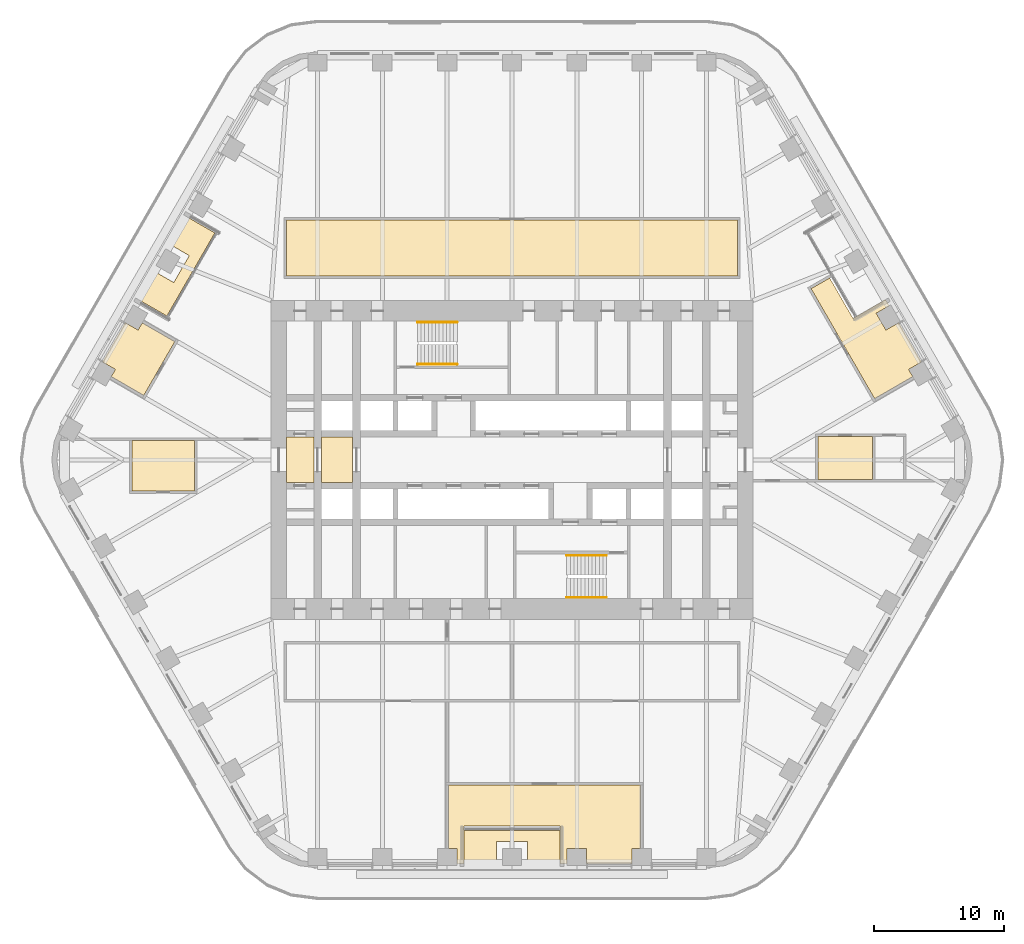
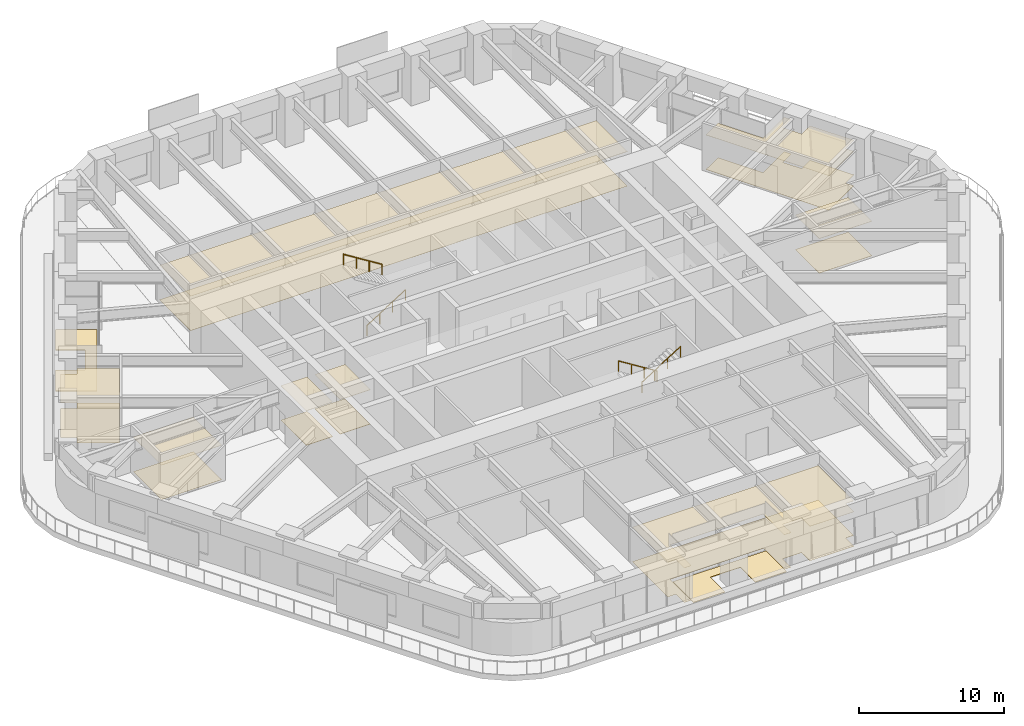
# One storey, part 22 of 24: 8 coverings, 4 railings.
"""IFC4 building model written with IfcOpenShell, lengths in metres."""

from ifc_helpers import new_model, si_unit, direction, frame, origin, origin_2d, place, context, subcontext, project, spatial, polyline, circle, outline, extrude, material, layer, layer_set, type_object, element, save


model = new_model("IFC4")

# Units and contexts
model_context = context("Model", 3, precision=1e-05, world=origin(), true_north=direction((0.0, 1.0)))
body_context = subcontext(model_context, "Body", "Model", "MODEL_VIEW")
ifc_project = project(units=[si_unit("LENGTHUNIT", "METRE"), si_unit("AREAUNIT", "SQUARE_METRE"), si_unit("VOLUMEUNIT", "CUBIC_METRE"), si_unit("PLANEANGLEUNIT", "RADIAN"), si_unit("MASSUNIT", "GRAM", prefix="KILO")], contexts=[model_context])

# Site, building, storey
site_placement = place(None, origin())
site = spatial("IfcSite", under=ifc_project, at=site_placement, CompositionType="ELEMENT")
building_placement = place(site_placement, origin())
building = spatial("IfcBuilding", under=site, at=building_placement, Name="Tarfa Lantern Tower", CompositionType="ELEMENT")
storey_placement = place(building_placement, frame((0.0, 0.0, 182.5)))
storey = spatial("IfcBuildingStorey", under=building, at=storey_placement, Name="L41", CompositionType="ELEMENT", Elevation=182.5)

# Coverings
ifc_material_1 = material(Name="Mineral fibre acoustic tile on suspension grid", Category="finish")
ifc_layer_1 = layer(ifc_material_1, 0.02001953125)
ifc_layer_set_1 = layer_set([ifc_layer_1], Name="CL1 ACOUSTIC TILE CEILING 20")
covering_type_1 = type_object("IfcCoveringType", Name="CL1 ACOUSTIC TILE CEILING 20", PredefinedType="CEILING", material=ifc_layer_set_1)
covering_1_placement = place(storey_placement, frame((0.0, 0.0, 2.89990234375)))
element("IfcCovering", 1, at=covering_1_placement, inside=storey, type_object=covering_type_1, Name="Ceiling L41 CL1", PredefinedType="CEILING", context=body_context, shape_type="SweptSolid", body=[
    extrude(outline(polyline([(27.989990234375, 4.719970703125), (23.086181640625, 13.21337890625), (24.51513671875, 14.038330078125), (26.317138671875, 10.91748046875), (28.82861328125, 12.367431640625), (29.103515625, 11.89111328125), (28.107666015625, 11.316162109375), (28.857666015625, 10.01708984375), (29.853515625, 10.592041015625), (31.60546875, 7.557861328125), (30.609375, 6.98291015625), (30.9345703125, 6.419921875), (27.989990234375, 4.719970703125)])), origin(), (0.0, 0.0, 1.0), 0.02001953125),
    extrude(outline(polyline([(-28.423095703125, 4.969970703125), (-30.9345703125, 6.419921875), (-30.609375, 6.98291015625), (-31.60546875, 7.557861328125), (-29.853515625, 10.592041015625), (-28.857666015625, 10.01708984375), (-28.53271484375, 10.580078125), (-26.021240234375, 9.130126953125), (-28.423095703125, 4.969970703125)])), origin(), (0.0, 0.0, 1.0), 0.02001953125),
    extrude(outline(polyline([(9.907470703125, -25.10009765625), (9.907470703125, -30.0), (9.25732421875, -30.0), (9.25732421875, -31.14990234375), (5.753662109375, -31.14990234375), (5.753662109375, -30.0), (4.253662109375, -30.0), (4.253662109375, -31.14990234375), (3.70361328125, -31.14990234375), (3.70361328125, -28.25), (-3.70361328125, -28.25), (-3.70361328125, -31.14990234375), (-4.253662109375, -31.14990234375), (-4.253662109375, -30.0), (-4.90380859375, -30.0), (-4.90380859375, -25.10009765625), (9.907470703125, -25.10009765625)])), origin(), (0.0, 0.0, 1.0), 0.02001953125),
    extrude(outline(polyline([(27.814453125, 1.800048828125), (27.814453125, -1.5), (23.614501953125, -1.5), (23.614501953125, 1.800048828125), (27.814453125, 1.800048828125)])), origin(), (0.0, 0.0, 1.0), 0.02001953125),
    extrude(outline(polyline([(-29.314453125, -2.39990234375), (-29.314453125, 1.5), (-24.514404296875, 1.5), (-24.514404296875, -2.39990234375), (-29.314453125, -2.39990234375)])), origin(), (0.0, 0.0, 1.0), 0.02001953125),
    extrude(outline(polyline([(-17.39990234375, 18.5), (17.39990234375, 18.5), (17.39990234375, 14.199951171875), (-17.39990234375, 14.199951171875), (-17.39990234375, 18.5)])), origin(), (0.0, 0.0, 1.0), 0.02001953125),
])
ifc_material_2 = material(Name="Powder-coated aluminium panel", Category="aluminium")
ifc_layer_2 = layer(ifc_material_2, 0.030029296875)
ifc_layer_set_2 = layer_set([ifc_layer_2], Name="CL3 METAL PANEL CEILING 30")
covering_type_2 = type_object("IfcCoveringType", Name="CL3 METAL PANEL CEILING 30", PredefinedType="CEILING", material=ifc_layer_set_2)
covering_2_placement = place(storey_placement, frame((0.0, 0.0, 2.89990234375)))
element("IfcCovering", 2, at=covering_2_placement, inside=storey, type_object=covering_type_2, Name="Ceiling L41-01", PredefinedType="CEILING", context=body_context, shape_type="SweptSolid", body=[
    extrude(outline(polyline([(-17.39990234375, -1.75), (-15.300048828125, -1.75), (-15.300048828125, 1.75), (-17.39990234375, 1.75), (-17.39990234375, -1.75)])), origin(), (0.0, 0.0, 1.0), 0.030029296875),
])
covering_3_placement = place(storey_placement, frame((0.0, 0.0, 2.89990234375)))
element("IfcCovering", 3, at=covering_3_placement, inside=storey, type_object=covering_type_2, Name="Ceiling L41-02", PredefinedType="CEILING", context=body_context, shape_type="SweptSolid", body=[
    extrude(outline(polyline([(-14.699951171875, -1.75), (-12.300048828125, -1.75), (-12.300048828125, 1.75), (-14.699951171875, 1.75), (-14.699951171875, -1.75)])), origin(), (0.0, 0.0, 1.0), 0.030029296875),
])
ifc_material_3 = material(Name="Nylon carpet tile", Category="finish")
ifc_layer_3 = layer(ifc_material_3, 0.010009765625)
ifc_layer_set_3 = layer_set([ifc_layer_3], Name="FL1 CARPET TILE 10")
covering_type_3 = type_object("IfcCoveringType", Name="FL1 CARPET TILE 10", PredefinedType="FLOORING", material=ifc_layer_set_3)
covering_4_placement = place(storey_placement, origin())
element("IfcCovering", 4, at=covering_4_placement, inside=storey, type_object=covering_type_3, Name="Floor finish L41 FL1", PredefinedType="FLOORING", context=body_context, shape_type="SweptSolid", body=[
    extrude(outline(polyline([(27.989990234375, 4.719970703125), (23.086181640625, 13.21337890625), (24.51513671875, 14.038330078125), (26.317138671875, 10.91748046875), (28.82861328125, 12.367431640625), (29.103515625, 11.89111328125), (28.107666015625, 11.316162109375), (28.857666015625, 10.01708984375), (29.853515625, 10.592041015625), (31.60546875, 7.557861328125), (30.609375, 6.98291015625), (30.9345703125, 6.419921875), (27.989990234375, 4.719970703125)])), origin(), (0.0, 0.0, 1.0), 0.010009765625),
    extrude(outline(polyline([(-28.423095703125, 4.969970703125), (-30.9345703125, 6.419921875), (-30.609375, 6.98291015625), (-31.60546875, 7.557861328125), (-29.853515625, 10.592041015625), (-28.857666015625, 10.01708984375), (-28.53271484375, 10.580078125), (-26.021240234375, 9.130126953125), (-28.423095703125, 4.969970703125)])), origin(), (0.0, 0.0, 1.0), 0.010009765625),
    extrude(outline(polyline([(9.907470703125, -25.10009765625), (9.907470703125, -30.0), (9.25732421875, -30.0), (9.25732421875, -31.14990234375), (5.753662109375, -31.14990234375), (5.753662109375, -30.0), (4.253662109375, -30.0), (4.253662109375, -31.14990234375), (3.70361328125, -31.14990234375), (3.70361328125, -28.25), (-3.70361328125, -28.25), (-3.70361328125, -31.14990234375), (-4.253662109375, -31.14990234375), (-4.253662109375, -30.0), (-4.90380859375, -30.0), (-4.90380859375, -25.10009765625), (9.907470703125, -25.10009765625)])), origin(), (0.0, 0.0, 1.0), 0.010009765625),
    extrude(outline(polyline([(27.814453125, 1.800048828125), (27.814453125, -1.5), (23.614501953125, -1.5), (23.614501953125, 1.800048828125), (27.814453125, 1.800048828125)])), origin(), (0.0, 0.0, 1.0), 0.010009765625),
    extrude(outline(polyline([(-29.314453125, -2.39990234375), (-29.314453125, 1.5), (-24.514404296875, 1.5), (-24.514404296875, -2.39990234375), (-29.314453125, -2.39990234375)])), origin(), (0.0, 0.0, 1.0), 0.010009765625),
    extrude(outline(polyline([(-17.39990234375, 18.5), (17.39990234375, 18.5), (17.39990234375, 14.199951171875), (-17.39990234375, 14.199951171875), (-17.39990234375, 18.5)])), origin(), (0.0, 0.0, 1.0), 0.010009765625),
])
ifc_material_4 = material(Name="Honed limestone flooring", Category="masonry")
ifc_layer_4 = layer(ifc_material_4, 0.030029296875)
ifc_layer_set_4 = layer_set([ifc_layer_4], Name="FL2 STONE FLOORING 30")
covering_type_4 = type_object("IfcCoveringType", Name="FL2 STONE FLOORING 30", PredefinedType="FLOORING", material=ifc_layer_set_4)
covering_5_placement = place(storey_placement, origin())
element("IfcCovering", 5, at=covering_5_placement, inside=storey, type_object=covering_type_4, Name="Floor finish L41-01", PredefinedType="FLOORING", context=body_context, shape_type="SweptSolid", body=[
    extrude(outline(polyline([(-17.39990234375, -1.75), (-15.300048828125, -1.75), (-15.300048828125, 1.75), (-17.39990234375, 1.75), (-17.39990234375, -1.75)])), origin(), (0.0, 0.0, 1.0), 0.030029296875),
])
covering_6_placement = place(storey_placement, origin())
element("IfcCovering", 6, at=covering_6_placement, inside=storey, type_object=covering_type_4, Name="Floor finish L41-02", PredefinedType="FLOORING", context=body_context, shape_type="SweptSolid", body=[
    extrude(outline(polyline([(-14.699951171875, -1.75), (-12.300048828125, -1.75), (-12.300048828125, 1.75), (-14.699951171875, 1.75), (-14.699951171875, -1.75)])), origin(), (0.0, 0.0, 1.0), 0.030029296875),
])

# Railings
ifc_material_5 = material(Name="Stainless steel", Category="steel")
railing_type = type_object("IfcRailingType", Name="HR1 HANDRAIL 900", PredefinedType="HANDRAIL", material=ifc_material_5)
railing_1_placement = place(storey_placement, frame((-7.300048828125, 7.3798828125, 0.175048828125)))
element("IfcRailing", 7, at=railing_1_placement, inside=storey, type_object=railing_type, Name="Handrail 1", PredefinedType="HANDRAIL", context=body_context, shape_type="SweptSolid", body=[
    extrude(circle(Radius=0.02392578125, at=origin_2d()), frame((0.0, 0.0, 0.8759765625), z_axis=(0.847998304005, 0.0, 0.529998940003), x_axis=(0.0, 1.0, 0.0)), (0.0, 0.0, 1.0), 3.632080078125),
    extrude(circle(Radius=0.02099609375, at=origin_2d()), frame((0.0, 0.0, 0.0), z_axis=(0.0, 0.0, 1.0), x_axis=(0.0, 1.0, 0.0)), (0.0, 0.0, 1.0), 0.851806640625),
    extrude(circle(Radius=0.02099609375, at=origin_2d()), frame((1.026611328125, 0.0, 0.6416015625), z_axis=(0.0, 0.0, 1.0), x_axis=(0.0, 1.0, 0.0)), (0.0, 0.0, 1.0), 0.851806640625),
    extrude(circle(Radius=0.02099609375, at=origin_2d()), frame((2.053466796875, 0.0, 1.283447265625), z_axis=(0.0, 0.0, 1.0), x_axis=(0.0, 1.0, 0.0)), (0.0, 0.0, 1.0), 0.851806640625),
    extrude(circle(Radius=0.02099609375, at=origin_2d()), frame((3.080078125, 0.0, 1.925048828125), z_axis=(0.0, 0.0, 1.0), x_axis=(0.0, 1.0, 0.0)), (0.0, 0.0, 1.0), 0.851806640625),
])
for number, where, name in (
    (8, (-4.219970703125, 10.6201171875, 2.27490234375), "Handrail 2"),
    (9, (7.300048828125, -7.3798828125, 0.175048828125), "Handrail 1"),
):
    element("IfcRailing", number, at=place(storey_placement, frame(where)), inside=storey, type_object=railing_type, Name=name, PredefinedType="HANDRAIL", context=body_context, shape_type="SweptSolid", body=[
        extrude(circle(Radius=0.02392578125, at=origin_2d()), frame((0.0, 0.0, 0.8759765625), z_axis=(-0.847998304005, 0.0, 0.529998940003), x_axis=(0.0, -1.0, 0.0)), (0.0, 0.0, 1.0), 3.632080078125),
        extrude(circle(Radius=0.02099609375, at=origin_2d()), frame((0.0, 0.0, 0.0), z_axis=(0.0, 0.0, 1.0), x_axis=(0.0, -1.0, 0.0)), (0.0, 0.0, 1.0), 0.851806640625),
        extrude(circle(Radius=0.02099609375, at=origin_2d()), frame((-1.026611328125, 0.0, 0.6416015625), z_axis=(0.0, 0.0, 1.0), x_axis=(0.0, -1.0, 0.0)), (0.0, 0.0, 1.0), 0.851806640625),
        extrude(circle(Radius=0.02099609375, at=origin_2d()), frame((-2.053466796875, 0.0, 1.283447265625), z_axis=(0.0, 0.0, 1.0), x_axis=(0.0, -1.0, 0.0)), (0.0, 0.0, 1.0), 0.851806640625),
        extrude(circle(Radius=0.02099609375, at=origin_2d()), frame((-3.080078125, 0.0, 1.925048828125), z_axis=(0.0, 0.0, 1.0), x_axis=(0.0, -1.0, 0.0)), (0.0, 0.0, 1.0), 0.851806640625),
    ])
railing_2_placement = place(storey_placement, frame((4.219970703125, -10.6201171875, 2.27490234375)))
element("IfcRailing", 10, at=railing_2_placement, inside=storey, type_object=railing_type, Name="Handrail 2", PredefinedType="HANDRAIL", context=body_context, shape_type="SweptSolid", body=[
    extrude(circle(Radius=0.02392578125, at=origin_2d()), frame((0.0, 0.0, 0.8759765625), z_axis=(0.847998304005, 0.0, 0.529998940003), x_axis=(0.0, 1.0, 0.0)), (0.0, 0.0, 1.0), 3.632080078125),
    extrude(circle(Radius=0.02099609375, at=origin_2d()), frame((0.0, 0.0, 0.0), z_axis=(0.0, 0.0, 1.0), x_axis=(0.0, 1.0, 0.0)), (0.0, 0.0, 1.0), 0.851806640625),
    extrude(circle(Radius=0.02099609375, at=origin_2d()), frame((1.026611328125, 0.0, 0.6416015625), z_axis=(0.0, 0.0, 1.0), x_axis=(0.0, 1.0, 0.0)), (0.0, 0.0, 1.0), 0.851806640625),
    extrude(circle(Radius=0.02099609375, at=origin_2d()), frame((2.053466796875, 0.0, 1.283447265625), z_axis=(0.0, 0.0, 1.0), x_axis=(0.0, 1.0, 0.0)), (0.0, 0.0, 1.0), 0.851806640625),
    extrude(circle(Radius=0.02099609375, at=origin_2d()), frame((3.080078125, 0.0, 1.925048828125), z_axis=(0.0, 0.0, 1.0), x_axis=(0.0, 1.0, 0.0)), (0.0, 0.0, 1.0), 0.851806640625),
])

# Coverings
ifc_material_6 = material(Name="Porcelain pavers on pedestals", Category="ceramic")
ifc_layer_5 = layer(ifc_material_6, 0.0400390625)
ifc_layer_set_5 = layer_set([ifc_layer_5], Name="LP1 LOGGIA PAVING 40")
covering_type_5 = type_object("IfcCoveringType", Name="LP1 LOGGIA PAVING 40", PredefinedType="FLOORING", material=ifc_layer_set_5)
covering_7_placement = place(storey_placement, origin())
element("IfcCovering", 11, at=covering_7_placement, inside=storey, type_object=covering_type_5, Name="Loggia paving NW", PredefinedType="FLOORING", context=body_context, shape_type="SweptSolid", body=[
    extrude(outline(polyline([(-25.427978515625, 18.95751953125), (-22.933837890625, 17.517578125), (-26.637451171875, 11.1025390625), (-29.131591796875, 12.54248046875), (-27.8798828125, 14.710693359375), (-26.1044921875, 13.685791015625), (-24.904541015625, 15.76416015625), (-26.6796875, 16.789306640625), (-25.427978515625, 18.95751953125)])), origin(), (0.0, 0.0, 1.0), 0.0400390625),
])
covering_8_placement = place(storey_placement, origin())
element("IfcCovering", 12, at=covering_8_placement, inside=storey, type_object=covering_type_5, Name="Loggia paving S", PredefinedType="FLOORING", context=body_context, shape_type="SweptSolid", body=[
    extrude(outline(polyline([(-3.70361328125, -31.5), (-3.70361328125, -28.6201171875), (3.70361328125, -28.6201171875), (3.70361328125, -31.5), (1.199951171875, -31.5), (1.199951171875, -29.449951171875), (-1.199951171875, -29.449951171875), (-1.199951171875, -31.5), (-3.70361328125, -31.5)])), origin(), (0.0, 0.0, 1.0), 0.0400390625),
])

save(model, "model.ifc")
